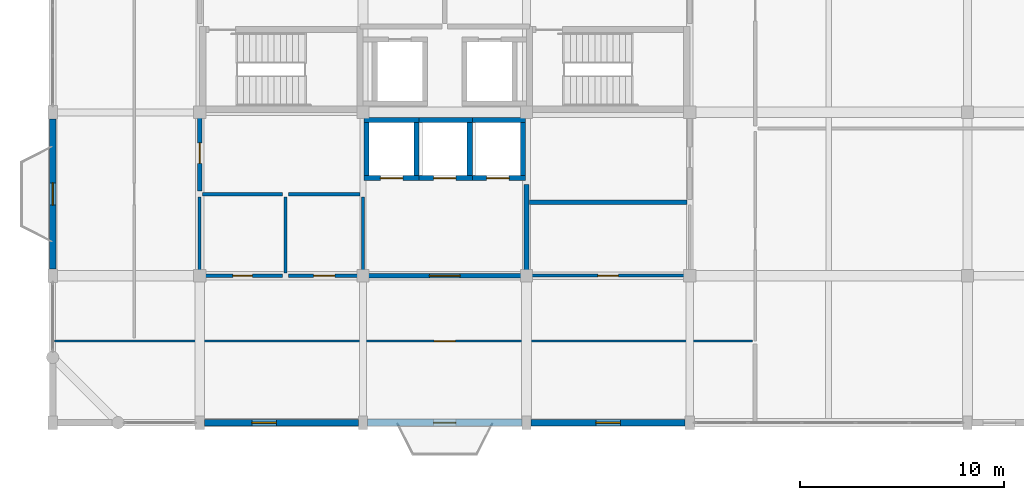
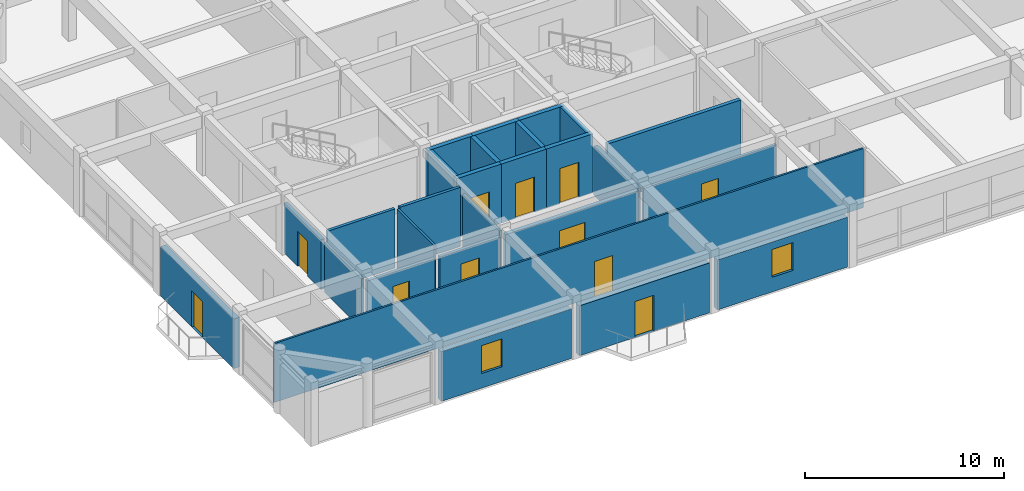
# One storey, part 10 of 13: 27 walls, 11 doors, 2 windows, 13 openings.
"""IFC4 building model written with IfcOpenShell, lengths in metres."""

from ifc_helpers import new_model, si_unit, direction, frame, frame_2d, origin, place, context, subcontext, project, spatial, rectangle, extrude, material, layer, layer_set, type_object, element, fill, save


model = new_model("IFC4")

# Units and contexts
model_context = context("Model", 3, precision=1e-05, world=origin(), true_north=direction((0.0, 1.0)))
body_context = subcontext(model_context, "Body", "Model", "MODEL_VIEW")
ifc_project = project(units=[si_unit("LENGTHUNIT", "METRE"), si_unit("AREAUNIT", "SQUARE_METRE"), si_unit("VOLUMEUNIT", "CUBIC_METRE"), si_unit("PLANEANGLEUNIT", "RADIAN"), si_unit("MASSUNIT", "GRAM", prefix="KILO")], contexts=[model_context])

# Site, building, storey
site_placement = place(None, origin())
site = spatial("IfcSite", under=ifc_project, at=site_placement, CompositionType="ELEMENT")
building_placement = place(site_placement, origin())
building = spatial("IfcBuilding", under=site, at=building_placement, Name="Vellmiral Cinema and Media Centre", CompositionType="ELEMENT")
storey_placement = place(building_placement, frame((0.0, 0.0, 54.800048828125)))
storey = spatial("IfcBuildingStorey", under=building, at=storey_placement, Name="L13", CompositionType="ELEMENT", Elevation=54.800048828125)

# Wall, opening, door
ifc_material_1 = material(Name="Concrete C40/50", Category="concrete")
ifc_layer_1 = layer(ifc_material_1, 0.2099609375, Name="Concrete C40/50")
ifc_layer_set_1 = layer_set([ifc_layer_1], Name="Concrete C40/50")
wall_type_1 = type_object("IfcWallType", Name="WL-COMP-210", PredefinedType="SOLIDWALL", material=ifc_layer_set_1)
wall_1_placement = place(storey_placement, frame((124.0, 83.340087890625, 0.0), z_axis=(0.0, 0.0, 1.0), x_axis=(0.0, 1.0, 0.0)))
wall_1 = element("IfcWall", 1, at=wall_1_placement, inside=storey, type_object=wall_type_1, Name="Electrical and Telecom Riser Room Wall W", PredefinedType="SOLIDWALL", context=body_context, shape_type="SweptSolid", body=[
    extrude(rectangle(XDim=3.719970703125, YDim=0.2099609375, at=frame_2d((1.85986328125, 0.0))), origin(), (0.0, 0.0, 1.0), 3.054931640625),
])
opening_1_placement = place(wall_1_placement, frame((1.360107421875, 0.0, 0.0)))
opening_1 = element("IfcOpeningElement", 2, at=opening_1_placement, cuts=wall_1, Name="Opening D-FD30B", PredefinedType="OPENING", context=body_context, shape_type="SweptSolid", body=[
    extrude(rectangle(XDim=1.0, YDim=2.14990234375, at=frame_2d((0.5, 1.074951171875))), frame((0.0, 0.116943359375, 0.0), z_axis=(0.0, -1.0, 0.0), x_axis=(1.0, 0.0, 0.0)), (0.0, 0.0, 1.0), 0.23388671875),
])
ifc_material_2 = material(Name="Steel Riser Fire Door", Category="steel")
door_type_1 = type_object("IfcDoorType", Name="DR-FD30-1000x2150", OperationType="NOTDEFINED", PredefinedType="DOOR", material=ifc_material_2)
door_1_placement = place(opening_1_placement, frame((1.0, 0.0, 0.0), z_axis=(0.0, 0.0, 1.0), x_axis=(-1.0, 0.0, 0.0)))
door_1 = element("IfcDoor", 3, at=door_1_placement, inside=storey, type_object=door_type_1, Name="Electrical and Telecom Riser Room Door", OperationType="SINGLE_SWING_LEFT", OverallHeight=2.14990234375, OverallWidth=1.0, PredefinedType="DOOR", context=body_context, shape_type="SweptSolid", body=[
    extrude(rectangle(XDim=1.0, YDim=2.14990234375, at=frame_2d((0.5, 1.074951171875))), frame((0.0, 0.02490234375, 0.0), z_axis=(0.0, -1.0, 0.0), x_axis=(1.0, 0.0, 0.0)), (0.0, 0.0, 1.0), 0.050048828125),
])
fill(opening_1, door_1)

# Wall
wall_2_placement = place(storey_placement, frame((140.139892578125, 82.800048828125, 0.0), z_axis=(0.0, 0.0, 1.0), x_axis=(1.0, 0.0, 0.0)))
element("IfcWall", 4, at=wall_2_placement, inside=storey, type_object=wall_type_1, Name="Data Patch and Riser Room Wall S", PredefinedType="SOLIDWALL", context=body_context, shape_type="SweptSolid", body=[
    extrude(rectangle(XDim=7.72021484375, YDim=0.2099609375, at=frame_2d((3.860107421875, 0.0))), origin(), (0.0, 0.0, 1.0), 3.619873046875),
])

# Wall, opening, window
ifc_material_3 = material(Name="Polychrome Glazed Ceramic Cladding", Category="masonry")
ifc_layer_2 = layer(ifc_material_3, 0.320068359375, Name="Polychrome Glazed Ceramic Cladding")
ifc_layer_set_2 = layer_set([ifc_layer_2], Name="Polychrome Glazed Ceramic Cladding")
wall_type_2 = type_object("IfcWallType", Name="WL-EXT-BRICK-320", PredefinedType="SOLIDWALL", material=ifc_layer_set_2)
wall_3_placement = place(storey_placement, frame((124.22509765625, 72.0, 0.0), z_axis=(0.0, 0.0, 1.0), x_axis=(1.0, 0.0, 0.0)))
wall_3 = element("IfcWall", 5, at=wall_3_placement, inside=storey, type_object=wall_type_2, Name="Exterior Facade Wall L13-003", PredefinedType="SOLIDWALL", context=body_context, shape_type="SweptSolid", body=[
    extrude(rectangle(XDim=7.5498046875, YDim=0.320068359375, at=frame_2d((3.77490234375, 0.0))), origin(), (0.0, 0.0, 1.0), 3.044921875),
])
opening_2_placement = place(wall_3_placement, frame((2.324951171875, 0.0, 0.89990234375)))
opening_2 = element("IfcOpeningElement", 6, at=opening_2_placement, cuts=wall_3, Name="Opening WN-10", PredefinedType="OPENING", context=body_context, shape_type="SweptSolid", body=[
    extrude(rectangle(XDim=1.199951171875, YDim=1.699951171875, at=frame_2d((0.60009765625, 0.85009765625))), frame((0.0, 0.171875, 0.0), z_axis=(0.0, -1.0, 0.0), x_axis=(1.0, 0.0, 0.0)), (0.0, 0.0, 1.0), 0.343994140625),
])
ifc_material_4 = material(Name="Thermally Broken Aluminium Triple Glazing", Category="aluminium")
window_type = type_object("IfcWindowType", Name="WN-1200x1700", PartitioningType="SINGLE_PANEL", PredefinedType="WINDOW", material=ifc_material_4)
window_1_placement = place(opening_2_placement, origin())
window_1 = element("IfcWindow", 7, at=window_1_placement, inside=storey, type_object=window_type, Name="Window L13-003", OverallHeight=1.699951171875, OverallWidth=1.199951171875, PartitioningType="SINGLE_PANEL", PredefinedType="WINDOW", context=body_context, shape_type="SweptSolid", body=[
    extrude(rectangle(XDim=1.199951171875, YDim=1.699951171875, at=frame_2d((0.60009765625, 0.85009765625))), frame((0.0, 0.030029296875, 0.0), z_axis=(0.0, -1.0, 0.0), x_axis=(1.0, 0.0, 0.0)), (0.0, 0.0, 1.0), 0.06005859375),
])
fill(opening_2, window_1)

wall_4_placement = place(storey_placement, frame((140.22509765625, 72.0, 0.0), z_axis=(0.0, 0.0, 1.0), x_axis=(1.0, 0.0, 0.0)))
wall_4 = element("IfcWall", 8, at=wall_4_placement, inside=storey, type_object=wall_type_2, Name="Exterior Facade Wall L13-005", PredefinedType="SOLIDWALL", context=body_context, shape_type="SweptSolid", body=[
    extrude(rectangle(XDim=7.5498046875, YDim=0.320068359375, at=frame_2d((3.77490234375, 0.0))), origin(), (0.0, 0.0, 1.0), 3.06005859375),
])
opening_3_placement = place(wall_4_placement, frame((3.175048828125, 0.0, 0.89990234375)))
opening_3 = element("IfcOpeningElement", 9, at=opening_3_placement, cuts=wall_4, Name="Opening WN-10", PredefinedType="OPENING", context=body_context, shape_type="SweptSolid", body=[
    extrude(rectangle(XDim=1.199951171875, YDim=1.699951171875, at=frame_2d((0.60009765625, 0.85009765625))), frame((0.0, 0.171875, 0.0), z_axis=(0.0, -1.0, 0.0), x_axis=(1.0, 0.0, 0.0)), (0.0, 0.0, 1.0), 0.343994140625),
])
window_2_placement = place(opening_3_placement, origin())
window_2 = element("IfcWindow", 10, at=window_2_placement, inside=storey, type_object=window_type, Name="Window L13-005", OverallHeight=1.699951171875, OverallWidth=1.199951171875, PartitioningType="SINGLE_PANEL", PredefinedType="WINDOW", context=body_context, shape_type="SweptSolid", body=[
    extrude(rectangle(XDim=1.199951171875, YDim=1.699951171875, at=frame_2d((0.60009765625, 0.85009765625))), frame((0.0, 0.030029296875, 0.0), z_axis=(0.0, -1.0, 0.0), x_axis=(1.0, 0.0, 0.0)), (0.0, 0.0, 1.0), 0.06005859375),
])
fill(opening_3, window_2)

# Wall, opening, door
wall_5_placement = place(storey_placement, frame((116.800048828125, 86.875, 0.0), z_axis=(0.0, 0.0, 1.0), x_axis=(0.0, -1.0, 0.0)))
wall_5 = element("IfcWall", 11, at=wall_5_placement, inside=storey, type_object=wall_type_2, Name="Exterior Facade Wall L13-027", PredefinedType="SOLIDWALL", context=body_context, shape_type="SweptSolid", body=[
    extrude(rectangle(XDim=7.35009765625, YDim=0.320068359375, at=frame_2d((3.675048828125, 0.0))), origin(), (0.0, 0.0, 1.0), 3.044921875),
])
opening_4_placement = place(wall_5_placement, frame((3.125, 0.0, 0.0)))
opening_4 = element("IfcOpeningElement", 12, at=opening_4_placement, cuts=wall_5, Name="Opening DE-06", PredefinedType="OPENING", context=body_context, shape_type="SweptSolid", body=[
    extrude(rectangle(XDim=1.10009765625, YDim=2.199951171875, at=frame_2d((0.550048828125, 1.10009765625))), frame((0.0, 0.171875, 0.0), z_axis=(0.0, -1.0, 0.0), x_axis=(1.0, 0.0, 0.0)), (0.0, 0.0, 1.0), 0.343994140625),
])
ifc_material_5 = material(Name="Thermally Broken Glazed Aluminium and Bronze Door", Category="aluminium")
door_type_2 = type_object("IfcDoorType", Name="DR-MIRA-1100x2200", OperationType="NOTDEFINED", PredefinedType="DOOR", material=ifc_material_5)
door_2_placement = place(opening_4_placement, frame((1.10009765625, 0.0, 0.0), z_axis=(0.0, 0.0, 1.0), x_axis=(-1.0, 0.0, 0.0)))
door_2 = element("IfcDoor", 13, at=door_2_placement, inside=storey, type_object=door_type_2, Name="Mirador Balcony Door L13-W", OperationType="SINGLE_SWING_LEFT", OverallHeight=2.199951171875, OverallWidth=1.10009765625, PredefinedType="DOOR", context=body_context, shape_type="SweptSolid", body=[
    extrude(rectangle(XDim=1.10009765625, YDim=2.199951171875, at=frame_2d((0.550048828125, 1.10009765625))), frame((0.0, 0.02490234375, 0.0), z_axis=(0.0, -1.0, 0.0), x_axis=(1.0, 0.0, 0.0)), (0.0, 0.0, 1.0), 0.050048828125),
])
fill(opening_4, door_2)

ifc_material_6 = material(Name="Vosges Red Sandstone Masonry", Category="masonry")
ifc_layer_3 = layer(ifc_material_6, 0.340087890625, Name="Vosges Red Sandstone Masonry")
ifc_layer_set_3 = layer_set([ifc_layer_3], Name="Vosges Red Sandstone Masonry")
wall_type_3 = type_object("IfcWallType", Name="WL-EXT-SAND-340", PredefinedType="SOLIDWALL", material=ifc_layer_set_3)
wall_6_placement = place(storey_placement, frame((132.22509765625, 72.0, 0.0), z_axis=(0.0, 0.0, 1.0), x_axis=(1.0, 0.0, 0.0)))
wall_6 = element("IfcWall", 14, at=wall_6_placement, inside=storey, type_object=wall_type_3, Name="Exterior Facade Wall L13-004", PredefinedType="SOLIDWALL", context=body_context, shape_type="SweptSolid", body=[
    extrude(rectangle(XDim=7.5498046875, YDim=0.340087890625, at=frame_2d((3.77490234375, 0.0))), origin(), (0.0, 0.0, 1.0), 3.06005859375),
])
opening_5_placement = place(wall_6_placement, frame((3.22509765625, 0.0, 0.0)))
opening_5 = element("IfcOpeningElement", 15, at=opening_5_placement, cuts=wall_6, Name="Opening DE-06", PredefinedType="OPENING", context=body_context, shape_type="SweptSolid", body=[
    extrude(rectangle(XDim=1.10009765625, YDim=2.199951171875, at=frame_2d((0.550048828125, 1.10009765625))), frame((0.0, 0.18212890625, 0.0), z_axis=(0.0, -1.0, 0.0), x_axis=(1.0, 0.0, 0.0)), (0.0, 0.0, 1.0), 0.364013671875),
])
door_3_placement = place(opening_5_placement, frame((1.10009765625, 0.0, 0.0), z_axis=(0.0, 0.0, 1.0), x_axis=(-1.0, 0.0, 0.0)))
door_3 = element("IfcDoor", 16, at=door_3_placement, inside=storey, type_object=door_type_2, Name="Mirador Balcony Door L13-S", OperationType="SINGLE_SWING_RIGHT", OverallHeight=2.199951171875, OverallWidth=1.10009765625, PredefinedType="DOOR", context=body_context, shape_type="SweptSolid", body=[
    extrude(rectangle(XDim=1.10009765625, YDim=2.199951171875, at=frame_2d((0.550048828125, 1.10009765625))), frame((0.0, 0.02490234375, 0.0), z_axis=(0.0, -1.0, 0.0), x_axis=(1.0, 0.0, 0.0)), (0.0, 0.0, 1.0), 0.050048828125),
])
fill(opening_5, door_3)

ifc_material_7 = material(Name="Concrete C40/50", Category="concrete")
ifc_layer_4 = layer(ifc_material_7, 0.22998046875, Name="Concrete C40/50")
ifc_layer_set_4 = layer_set([ifc_layer_4], Name="Concrete C40/50")
wall_type_4 = type_object("IfcWallType", Name="WL-FFL-230", PredefinedType="SOLIDWALL", material=ifc_layer_set_4)
wall_7_placement = place(storey_placement, frame((132.139892578125, 79.199951171875, 0.0), z_axis=(0.0, 0.0, 1.0), x_axis=(1.0, 0.0, 0.0)))
wall_7 = element("IfcWall", 17, at=wall_7_placement, inside=storey, type_object=wall_type_4, Name="Tower Passenger Lift Lobby Wall S", PredefinedType="SOLIDWALL", context=body_context, shape_type="SweptSolid", body=[
    extrude(rectangle(XDim=7.72021484375, YDim=0.22998046875, at=frame_2d((3.860107421875, 0.0))), origin(), (0.0, 0.0, 1.0), 3.054931640625),
])
opening_6_placement = place(wall_7_placement, frame((3.110107421875, 0.0, 0.0)))
opening_6 = element("IfcOpeningElement", 18, at=opening_6_placement, cuts=wall_7, Name="Opening D-FD30", PredefinedType="OPENING", context=body_context, shape_type="SweptSolid", body=[
    extrude(rectangle(XDim=1.5, YDim=2.199951171875, at=frame_2d((0.75, 1.10009765625))), frame((0.0, 0.126953125, 0.0), z_axis=(0.0, -1.0, 0.0), x_axis=(1.0, 0.0, 0.0)), (0.0, 0.0, 1.0), 0.25390625),
])
ifc_material_8 = material(Name="Timber-Core Fire Door", Category="wood")
door_type_3 = type_object("IfcDoorType", Name="DR-FD30-1500x2200", OperationType="DOUBLE_DOOR_SINGLE_SWING", PredefinedType="DOOR", material=ifc_material_8)
door_4_placement = place(opening_6_placement, frame((1.5, 0.0, 0.0), z_axis=(0.0, 0.0, 1.0), x_axis=(-1.0, 0.0, 0.0)))
door_4 = element("IfcDoor", 19, at=door_4_placement, inside=storey, type_object=door_type_3, Name="Tower Passenger Lift Lobby Door", OperationType="DOUBLE_DOOR_SINGLE_SWING", OverallHeight=2.199951171875, OverallWidth=1.5, PredefinedType="DOOR", context=body_context, shape_type="SweptSolid", body=[
    extrude(rectangle(XDim=1.5, YDim=2.199951171875, at=frame_2d((0.75, 1.10009765625))), frame((0.0, 0.02490234375, 0.0), z_axis=(0.0, -1.0, 0.0), x_axis=(1.0, 0.0, 0.0)), (0.0, 0.0, 1.0), 0.050048828125),
])
fill(opening_6, door_4)

# Wall
wall_8_placement = place(storey_placement, frame((140.0, 79.340087890625, 0.0), z_axis=(0.0, 0.0, 1.0), x_axis=(0.0, 1.0, 0.0)))
element("IfcWall", 20, at=wall_8_placement, inside=storey, type_object=wall_type_4, Name="Tower Passenger Lift Lobby Wall E", PredefinedType="SOLIDWALL", context=body_context, shape_type="SweptSolid", body=[
    extrude(rectangle(XDim=4.31982421875, YDim=0.22998046875, at=frame_2d((2.159912109375, 0.0))), origin(), (0.0, 0.0, 1.0), 3.0048828125),
])

# Wall, opening, door
ifc_material_9 = material(Name="Gypsum Plasterboard")
ifc_layer_5 = layer(ifc_material_9, 0.02490234375, Name="Gypsum Plasterboard", Category="gypsum")
ifc_material_10 = material(Name="Mineral Wool Acoustic Insulation", Category="insulation")
ifc_layer_6 = layer(ifc_material_10, 0.06005859375, Name="Mineral Wool Acoustic Insulation", Category="insulation")
ifc_layer_7 = layer(ifc_material_9, 0.02490234375, Name="Gypsum Plasterboard", Category="gypsum")
ifc_layer_set_5 = layer_set([ifc_layer_5, ifc_layer_6, ifc_layer_7], Name="Gypsum Plasterboard")
wall_type_5 = type_object("IfcWallType", Name="WL-PART-110", PredefinedType="PARTITIONING", material=ifc_layer_set_5)
wall_9_placement = place(storey_placement, frame((116.89501953125, 76.0, 0.0), z_axis=(0.0, 0.0, 1.0), x_axis=(1.0, 0.0, 0.0)))
wall_9 = element("IfcWall", 21, at=wall_9_placement, inside=storey, type_object=wall_type_5, Name="South Rhine Gallery Lounge Wall N", PredefinedType="PARTITIONING", context=body_context, shape_type="SweptSolid", body=[
    extrude(rectangle(XDim=34.1650390625, YDim=0.110107421875, at=frame_2d((17.08251953125, 0.0))), origin(), (0.0, 0.0, 1.0), 3.619873046875),
])
opening_7_placement = place(wall_9_placement, frame((18.580078125, 0.0, 0.0)))
opening_7 = element("IfcOpeningElement", 22, at=opening_7_placement, cuts=wall_9, Name="Opening D-I07", PredefinedType="OPENING", context=body_context, shape_type="SweptSolid", body=[
    extrude(rectangle(XDim=1.050048828125, YDim=2.14990234375, at=frame_2d((0.52490234375, 1.074951171875))), frame((0.0, 0.06689453125, 0.0), z_axis=(0.0, -1.0, 0.0), x_axis=(1.0, 0.0, 0.0)), (0.0, 0.0, 1.0), 0.134033203125),
])
ifc_material_11 = material(Name="Laminated Timber Door", Category="wood")
door_type_4 = type_object("IfcDoorType", Name="DR-INT-1050x2150", OperationType="NOTDEFINED", PredefinedType="DOOR", material=ifc_material_11)
door_5_placement = place(opening_7_placement, origin())
door_5 = element("IfcDoor", 23, at=door_5_placement, inside=storey, type_object=door_type_4, Name="South Rhine Gallery Lounge Door", OperationType="SINGLE_SWING_RIGHT", OverallHeight=2.14990234375, OverallWidth=1.050048828125, PredefinedType="DOOR", context=body_context, shape_type="SweptSolid", body=[
    extrude(rectangle(XDim=1.050048828125, YDim=2.14990234375, at=frame_2d((0.52490234375, 1.074951171875))), frame((0.0, 0.02490234375, 0.0), z_axis=(0.0, -1.0, 0.0), x_axis=(1.0, 0.0, 0.0)), (0.0, 0.0, 1.0), 0.050048828125),
])
fill(opening_7, door_5)

# Walls
ifc_material_12 = material(Name="Gypsum Plasterboard")
ifc_layer_8 = layer(ifc_material_12, 0.02490234375, Name="Gypsum Plasterboard", Category="gypsum")
ifc_material_13 = material(Name="Mineral Wool Acoustic Insulation", Category="insulation")
ifc_layer_9 = layer(ifc_material_13, 0.080078125, Name="Mineral Wool Acoustic Insulation", Category="insulation")
ifc_layer_10 = layer(ifc_material_12, 0.02490234375, Name="Gypsum Plasterboard", Category="gypsum")
ifc_layer_set_6 = layer_set([ifc_layer_8, ifc_layer_9, ifc_layer_10], Name="Gypsum Plasterboard")
wall_type_6 = type_object("IfcWallType", Name="WL-PART-130", PredefinedType="PARTITIONING", material=ifc_layer_set_6)
wall_10_placement = place(storey_placement, frame((128.199951171875, 79.340087890625, 0.0), z_axis=(0.0, 0.0, 1.0), x_axis=(0.0, 1.0, 0.0)))
element("IfcWall", 24, at=wall_10_placement, inside=storey, type_object=wall_type_6, Name="Staff WC Wall E", PredefinedType="PARTITIONING", context=body_context, shape_type="SweptSolid", body=[
    extrude(rectangle(XDim=3.719970703125, YDim=0.1298828125, at=frame_2d((1.85986328125, 0.0))), origin(), (0.0, 0.0, 1.0), 3.619873046875),
])
ifc_material_14 = material(Name="Gypsum Plasterboard")
ifc_layer_11 = layer(ifc_material_14, 0.02490234375, Name="Gypsum Plasterboard", Category="gypsum")
ifc_material_15 = material(Name="Mineral Wool Acoustic Insulation", Category="insulation")
ifc_layer_12 = layer(ifc_material_15, 0.10009765625, Name="Mineral Wool Acoustic Insulation", Category="insulation")
ifc_layer_13 = layer(ifc_material_14, 0.02490234375, Name="Gypsum Plasterboard", Category="gypsum")
ifc_layer_set_7 = layer_set([ifc_layer_11, ifc_layer_12, ifc_layer_13], Name="Gypsum Plasterboard")
wall_type_7 = type_object("IfcWallType", Name="WL-PART-150", PredefinedType="PARTITIONING", material=ifc_layer_set_7)
wall_11_placement = place(storey_placement, frame((124.0, 79.340087890625, 0.0), z_axis=(0.0, 0.0, 1.0), x_axis=(0.0, 1.0, 0.0)))
element("IfcWall", 25, at=wall_11_placement, inside=storey, type_object=wall_type_7, Name="Staff WC Wall W", PredefinedType="PARTITIONING", context=body_context, shape_type="SweptSolid", body=[
    extrude(rectangle(XDim=3.719970703125, YDim=0.14990234375, at=frame_2d((1.85986328125, 0.0))), origin(), (0.0, 0.0, 1.0), 3.054931640625),
])
wall_12_placement = place(storey_placement, frame((132.0, 79.340087890625, 0.0), z_axis=(0.0, 0.0, 1.0), x_axis=(0.0, 1.0, 0.0)))
element("IfcWall", 26, at=wall_12_placement, inside=storey, type_object=wall_type_7, Name="Accessible WC Wall E", PredefinedType="PARTITIONING", context=body_context, shape_type="SweptSolid", body=[
    extrude(rectangle(XDim=3.719970703125, YDim=0.14990234375, at=frame_2d((1.85986328125, 0.0))), origin(), (0.0, 0.0, 1.0), 3.204833984375),
])

# Wall, opening, door
wall_13_placement = place(storey_placement, frame((140.139892578125, 79.199951171875, 0.0), z_axis=(0.0, 0.0, 1.0), x_axis=(1.0, 0.0, 0.0)))
wall_13 = element("IfcWall", 27, at=wall_13_placement, inside=storey, type_object=wall_type_7, Name="Print and Archive Copy Room Wall S", PredefinedType="PARTITIONING", context=body_context, shape_type="SweptSolid", body=[
    extrude(rectangle(XDim=7.72021484375, YDim=0.14990234375, at=frame_2d((3.860107421875, 0.0))), origin(), (0.0, 0.0, 1.0), 3.054931640625),
])
opening_8_placement = place(wall_13_placement, frame((3.360107421875, 0.0, 0.0)))
opening_8 = element("IfcOpeningElement", 28, at=opening_8_placement, cuts=wall_13, Name="Opening D-I08", PredefinedType="OPENING", context=body_context, shape_type="SweptSolid", body=[
    extrude(rectangle(XDim=1.0, YDim=2.14990234375, at=frame_2d((0.5, 1.074951171875))), frame((0.0, 0.0869140625, 0.0), z_axis=(0.0, -1.0, 0.0), x_axis=(1.0, 0.0, 0.0)), (0.0, 0.0, 1.0), 0.173828125),
])
ifc_material_16 = material(Name="Laminated Timber Door", Category="wood")
door_type_5 = type_object("IfcDoorType", Name="DR-INT-1000x2150", OperationType="NOTDEFINED", PredefinedType="DOOR", material=ifc_material_16)
door_6_placement = place(opening_8_placement, origin())
door_6 = element("IfcDoor", 29, at=door_6_placement, inside=storey, type_object=door_type_5, Name="Print and Archive Copy Room Door", OperationType="SINGLE_SWING_RIGHT", OverallHeight=2.14990234375, OverallWidth=1.0, PredefinedType="DOOR", context=body_context, shape_type="SweptSolid", body=[
    extrude(rectangle(XDim=1.0, YDim=2.14990234375, at=frame_2d((0.5, 1.074951171875))), frame((0.0, 0.02490234375, 0.0), z_axis=(0.0, -1.0, 0.0), x_axis=(1.0, 0.0, 0.0)), (0.0, 0.0, 1.0), 0.050048828125),
])
fill(opening_8, door_6)

# Walls
ifc_material_17 = material(Name="Gypsum Plasterboard")
ifc_layer_14 = layer(ifc_material_17, 0.02490234375, Name="Gypsum Plasterboard", Category="gypsum")
ifc_material_18 = material(Name="Mineral Wool Acoustic Insulation", Category="insulation")
ifc_layer_15 = layer(ifc_material_18, 0.1201171875, Name="Mineral Wool Acoustic Insulation", Category="insulation")
ifc_layer_16 = layer(ifc_material_17, 0.02490234375, Name="Gypsum Plasterboard", Category="gypsum")
ifc_layer_set_8 = layer_set([ifc_layer_14, ifc_layer_15, ifc_layer_16], Name="Gypsum Plasterboard")
wall_type_8 = type_object("IfcWallType", Name="WL-PART-170", PredefinedType="PARTITIONING", material=ifc_layer_set_8)
wall_14_placement = place(storey_placement, frame((124.139892578125, 83.199951171875, 0.0), z_axis=(0.0, 0.0, 1.0), x_axis=(1.0, 0.0, 0.0)))
element("IfcWall", 30, at=wall_14_placement, inside=storey, type_object=wall_type_8, Name="Staff WC Wall N", PredefinedType="PARTITIONING", context=body_context, shape_type="SweptSolid", body=[
    extrude(rectangle(XDim=3.920166015625, YDim=0.169921875, at=frame_2d((1.9599609375, 0.0))), origin(), (0.0, 0.0, 1.0), 3.619873046875),
])
wall_15_placement = place(storey_placement, frame((128.340087890625, 83.199951171875, 0.0), z_axis=(0.0, 0.0, 1.0), x_axis=(1.0, 0.0, 0.0)))
element("IfcWall", 31, at=wall_15_placement, inside=storey, type_object=wall_type_8, Name="Accessible WC Wall N", PredefinedType="PARTITIONING", context=body_context, shape_type="SweptSolid", body=[
    extrude(rectangle(XDim=3.52001953125, YDim=0.169921875, at=frame_2d((1.760009765625, 0.0))), origin(), (0.0, 0.0, 1.0), 3.619873046875),
])

# Wall, opening, door
ifc_material_19 = material(Name="Gypsum Plasterboard")
ifc_layer_17 = layer(ifc_material_19, 0.02490234375, Name="Gypsum Plasterboard", Category="gypsum")
ifc_material_20 = material(Name="Mineral Wool Acoustic Insulation", Category="insulation")
ifc_layer_18 = layer(ifc_material_20, 0.139892578125, Name="Mineral Wool Acoustic Insulation", Category="insulation")
ifc_layer_19 = layer(ifc_material_19, 0.02490234375, Name="Gypsum Plasterboard", Category="gypsum")
ifc_layer_set_9 = layer_set([ifc_layer_17, ifc_layer_18, ifc_layer_19], Name="Gypsum Plasterboard")
wall_type_9 = type_object("IfcWallType", Name="WL-PART-190", PredefinedType="PARTITIONING", material=ifc_layer_set_9)
wall_16_placement = place(storey_placement, frame((124.139892578125, 79.199951171875, 0.0), z_axis=(0.0, 0.0, 1.0), x_axis=(1.0, 0.0, 0.0)))
wall_16 = element("IfcWall", 32, at=wall_16_placement, inside=storey, type_object=wall_type_9, Name="Staff WC Wall S", PredefinedType="PARTITIONING", context=body_context, shape_type="SweptSolid", body=[
    extrude(rectangle(XDim=3.920166015625, YDim=0.18994140625, at=frame_2d((1.9599609375, 0.0))), origin(), (0.0, 0.0, 1.0), 3.0048828125),
])
opening_9_placement = place(wall_16_placement, frame((1.485107421875, 0.0, 0.0)))
opening_9 = element("IfcOpeningElement", 33, at=opening_9_placement, cuts=wall_16, Name="Opening D-I09", PredefinedType="OPENING", context=body_context, shape_type="SweptSolid", body=[
    extrude(rectangle(XDim=0.949951171875, YDim=2.14990234375, at=frame_2d((0.47509765625, 1.074951171875))), frame((0.0, 0.10693359375, 0.0), z_axis=(0.0, -1.0, 0.0), x_axis=(1.0, 0.0, 0.0)), (0.0, 0.0, 1.0), 0.2138671875),
])
ifc_material_21 = material(Name="Moisture-Resistant Timber Door", Category="wood")
door_type_6 = type_object("IfcDoorType", Name="DR-INT-950x2150", OperationType="NOTDEFINED", PredefinedType="DOOR", material=ifc_material_21)
door_7_placement = place(opening_9_placement, origin())
door_7 = element("IfcDoor", 34, at=door_7_placement, inside=storey, type_object=door_type_6, Name="Staff WC Door", OperationType="SINGLE_SWING_LEFT", OverallHeight=2.14990234375, OverallWidth=0.949951171875, PredefinedType="DOOR", context=body_context, shape_type="SweptSolid", body=[
    extrude(rectangle(XDim=0.949951171875, YDim=2.14990234375, at=frame_2d((0.47509765625, 1.074951171875))), frame((0.0, 0.02490234375, 0.0), z_axis=(0.0, -1.0, 0.0), x_axis=(1.0, 0.0, 0.0)), (0.0, 0.0, 1.0), 0.050048828125),
])
fill(opening_9, door_7)

wall_17_placement = place(storey_placement, frame((128.340087890625, 79.199951171875, 0.0), z_axis=(0.0, 0.0, 1.0), x_axis=(1.0, 0.0, 0.0)))
wall_17 = element("IfcWall", 35, at=wall_17_placement, inside=storey, type_object=wall_type_9, Name="Accessible WC Wall S", PredefinedType="PARTITIONING", context=body_context, shape_type="SweptSolid", body=[
    extrude(rectangle(XDim=3.52001953125, YDim=0.18994140625, at=frame_2d((1.760009765625, 0.0))), origin(), (0.0, 0.0, 1.0), 3.0048828125),
])
opening_10_placement = place(wall_17_placement, frame((1.235107421875, 0.0, 0.0)))
opening_10 = element("IfcOpeningElement", 36, at=opening_10_placement, cuts=wall_17, Name="Opening D-I10", PredefinedType="OPENING", context=body_context, shape_type="SweptSolid", body=[
    extrude(rectangle(XDim=1.050048828125, YDim=2.14990234375, at=frame_2d((0.52490234375, 1.074951171875))), frame((0.0, 0.10693359375, 0.0), z_axis=(0.0, -1.0, 0.0), x_axis=(1.0, 0.0, 0.0)), (0.0, 0.0, 1.0), 0.2138671875),
])
ifc_material_22 = material(Name="Barrier-Free Timber Door", Category="wood")
door_type_7 = type_object("IfcDoorType", Name="DR-ACC-1050x2150", OperationType="NOTDEFINED", PredefinedType="DOOR", material=ifc_material_22)
door_8_placement = place(opening_10_placement, origin())
door_8 = element("IfcDoor", 37, at=door_8_placement, inside=storey, type_object=door_type_7, Name="Accessible WC Door", OperationType="SINGLE_SWING_RIGHT", OverallHeight=2.14990234375, OverallWidth=1.050048828125, PredefinedType="DOOR", context=body_context, shape_type="SweptSolid", body=[
    extrude(rectangle(XDim=1.050048828125, YDim=2.14990234375, at=frame_2d((0.52490234375, 1.074951171875))), frame((0.0, 0.02490234375, 0.0), z_axis=(0.0, -1.0, 0.0), x_axis=(1.0, 0.0, 0.0)), (0.0, 0.0, 1.0), 0.050048828125),
])
fill(opening_10, door_8)

ifc_material_23 = material(Name="Concrete C40/50", Category="concrete")
ifc_layer_20 = layer(ifc_material_23, 0.25, Name="Concrete C40/50")
ifc_layer_set_10 = layer_set([ifc_layer_20], Name="Concrete C40/50")
wall_type_10 = type_object("IfcWallType", Name="WL-SHAFT-250", PredefinedType="SHEAR", material=ifc_layer_set_10)
wall_18_placement = place(storey_placement, frame((132.050048828125, 83.97509765625, 0.0), z_axis=(0.0, 0.0, 1.0), x_axis=(1.0, 0.0, 0.0)))
wall_18 = element("IfcWall", 38, at=wall_18_placement, inside=storey, type_object=wall_type_10, Name="Lift Shaft Wall LF-P1 L13-S", PredefinedType="SHEAR", context=body_context, shape_type="SweptSolid", body=[
    extrude(rectangle(XDim=2.699951171875, YDim=0.25, at=frame_2d((1.35009765625, 0.0))), origin(), (0.0, 0.0, 1.0), 3.619873046875),
])
opening_11_placement = place(wall_18_placement, frame((0.800048828125, 0.0, 0.0)))
opening_11 = element("IfcOpeningElement", 39, at=opening_11_placement, cuts=wall_18, Name="Opening LD-01", PredefinedType="OPENING", context=body_context, shape_type="SweptSolid", body=[
    extrude(rectangle(XDim=1.10009765625, YDim=2.14990234375, at=frame_2d((0.550048828125, 1.074951171875))), frame((0.0, 0.136962890625, 0.0), z_axis=(0.0, -1.0, 0.0), x_axis=(1.0, 0.0, 0.0)), (0.0, 0.0, 1.0), 0.27392578125),
])
ifc_material_24 = material(Name="Stainless Steel Lift Landing Door", Category="steel")
door_type_8 = type_object("IfcDoorType", Name="DR-LIFT-1100x2150", OperationType="SLIDING_TO_LEFT", PredefinedType="DOOR", material=ifc_material_24)
door_9_placement = place(opening_11_placement, origin())
door_9 = element("IfcDoor", 40, at=door_9_placement, inside=storey, type_object=door_type_8, Name="Lift Landing Door LF-P1 L13", OperationType="SLIDING_TO_LEFT", OverallHeight=2.14990234375, OverallWidth=1.10009765625, PredefinedType="DOOR", context=body_context, shape_type="SweptSolid", body=[
    extrude(rectangle(XDim=1.10009765625, YDim=2.14990234375, at=frame_2d((0.550048828125, 1.074951171875))), frame((0.0, 0.02490234375, 0.0), z_axis=(0.0, -1.0, 0.0), x_axis=(1.0, 0.0, 0.0)), (0.0, 0.0, 1.0), 0.050048828125),
])
fill(opening_11, door_9)

# Walls
wall_19_placement = place(storey_placement, frame((132.050048828125, 86.824951171875, 0.0), z_axis=(0.0, 0.0, 1.0), x_axis=(1.0, 0.0, 0.0)))
element("IfcWall", 41, at=wall_19_placement, inside=storey, type_object=wall_type_10, Name="Lift Shaft Wall LF-P1 L13-N", PredefinedType="SHEAR", context=body_context, shape_type="SweptSolid", body=[
    extrude(rectangle(XDim=2.699951171875, YDim=0.25, at=frame_2d((1.35009765625, 0.0))), origin(), (0.0, 0.0, 1.0), 3.619873046875),
])
for number, where, z_axis, x_axis, name in (
    (42, (132.175048828125, 84.10009765625, 0.0), (0.0, 0.0, 1.0), (0.0, 1.0, 0.0), "Lift Shaft Wall LF-P1 L13-W"),
    (43, (134.625, 84.10009765625, 0.0), (0.0, 0.0, 1.0), (0.0, 1.0, 0.0), "Lift Shaft Wall LF-P1 L13-E"),
):
    element("IfcWall", number, at=place(storey_placement, frame(where, z_axis=z_axis, x_axis=x_axis)), inside=storey, type_object=wall_type_10, Name=name, PredefinedType="SHEAR", context=body_context, shape_type="SweptSolid", body=[
        extrude(rectangle(XDim=2.599853515625, YDim=0.25, at=frame_2d((1.2998046875, 0.0))), origin(), (0.0, 0.0, 1.0), 3.619873046875),
    ])

# Wall, opening, door
wall_20_placement = place(storey_placement, frame((134.64990234375, 83.97509765625, 0.0), z_axis=(0.0, 0.0, 1.0), x_axis=(1.0, 0.0, 0.0)))
wall_20 = element("IfcWall", 44, at=wall_20_placement, inside=storey, type_object=wall_type_10, Name="Lift Shaft Wall LF-P2 L13-S", PredefinedType="SHEAR", context=body_context, shape_type="SweptSolid", body=[
    extrude(rectangle(XDim=2.7001953125, YDim=0.25, at=frame_2d((1.35009765625, 0.0))), origin(), (0.0, 0.0, 1.0), 3.619873046875),
])
opening_12_placement = place(wall_20_placement, frame((0.800048828125, 0.0, 0.0)))
opening_12 = element("IfcOpeningElement", 45, at=opening_12_placement, cuts=wall_20, Name="Opening LD-01", PredefinedType="OPENING", context=body_context, shape_type="SweptSolid", body=[
    extrude(rectangle(XDim=1.10009765625, YDim=2.14990234375, at=frame_2d((0.550048828125, 1.074951171875))), frame((0.0, 0.136962890625, 0.0), z_axis=(0.0, -1.0, 0.0), x_axis=(1.0, 0.0, 0.0)), (0.0, 0.0, 1.0), 0.27392578125),
])
door_10_placement = place(opening_12_placement, origin())
door_10 = element("IfcDoor", 46, at=door_10_placement, inside=storey, type_object=door_type_8, Name="Lift Landing Door LF-P2 L13", OperationType="SLIDING_TO_LEFT", OverallHeight=2.14990234375, OverallWidth=1.10009765625, PredefinedType="DOOR", context=body_context, shape_type="SweptSolid", body=[
    extrude(rectangle(XDim=1.10009765625, YDim=2.14990234375, at=frame_2d((0.550048828125, 1.074951171875))), frame((0.0, 0.02490234375, 0.0), z_axis=(0.0, -1.0, 0.0), x_axis=(1.0, 0.0, 0.0)), (0.0, 0.0, 1.0), 0.050048828125),
])
fill(opening_12, door_10)

# Walls
wall_21_placement = place(storey_placement, frame((134.64990234375, 86.824951171875, 0.0), z_axis=(0.0, 0.0, 1.0), x_axis=(1.0, 0.0, 0.0)))
element("IfcWall", 47, at=wall_21_placement, inside=storey, type_object=wall_type_10, Name="Lift Shaft Wall LF-P2 L13-N", PredefinedType="SHEAR", context=body_context, shape_type="SweptSolid", body=[
    extrude(rectangle(XDim=2.7001953125, YDim=0.25, at=frame_2d((1.35009765625, 0.0))), origin(), (0.0, 0.0, 1.0), 3.619873046875),
])
wall_22_placement = place(storey_placement, frame((137.22509765625, 84.10009765625, 0.0), z_axis=(0.0, 0.0, 1.0), x_axis=(0.0, 1.0, 0.0)))
element("IfcWall", 48, at=wall_22_placement, inside=storey, type_object=wall_type_10, Name="Lift Shaft Wall LF-P2 L13-E", PredefinedType="SHEAR", context=body_context, shape_type="SweptSolid", body=[
    extrude(rectangle(XDim=2.599853515625, YDim=0.25, at=frame_2d((1.2998046875, 0.0))), origin(), (0.0, 0.0, 1.0), 3.619873046875),
])

# Wall, opening, door
wall_23_placement = place(storey_placement, frame((137.25, 83.97509765625, 0.0), z_axis=(0.0, 0.0, 1.0), x_axis=(1.0, 0.0, 0.0)))
wall_23 = element("IfcWall", 49, at=wall_23_placement, inside=storey, type_object=wall_type_10, Name="Lift Shaft Wall LF-P3 L13-S", PredefinedType="SHEAR", context=body_context, shape_type="SweptSolid", body=[
    extrude(rectangle(XDim=2.699951171875, YDim=0.25, at=frame_2d((1.35009765625, 0.0))), origin(), (0.0, 0.0, 1.0), 3.619873046875),
])
opening_13_placement = place(wall_23_placement, frame((0.800048828125, 0.0, 0.0)))
opening_13 = element("IfcOpeningElement", 50, at=opening_13_placement, cuts=wall_23, Name="Opening LD-01", PredefinedType="OPENING", context=body_context, shape_type="SweptSolid", body=[
    extrude(rectangle(XDim=1.10009765625, YDim=2.14990234375, at=frame_2d((0.550048828125, 1.074951171875))), frame((0.0, 0.136962890625, 0.0), z_axis=(0.0, -1.0, 0.0), x_axis=(1.0, 0.0, 0.0)), (0.0, 0.0, 1.0), 0.27392578125),
])
door_11_placement = place(opening_13_placement, origin())
door_11 = element("IfcDoor", 51, at=door_11_placement, inside=storey, type_object=door_type_8, Name="Lift Landing Door LF-P3 L13", OperationType="SLIDING_TO_LEFT", OverallHeight=2.14990234375, OverallWidth=1.10009765625, PredefinedType="DOOR", context=body_context, shape_type="SweptSolid", body=[
    extrude(rectangle(XDim=1.10009765625, YDim=2.14990234375, at=frame_2d((0.550048828125, 1.074951171875))), frame((0.0, 0.02490234375, 0.0), z_axis=(0.0, -1.0, 0.0), x_axis=(1.0, 0.0, 0.0)), (0.0, 0.0, 1.0), 0.050048828125),
])
fill(opening_13, door_11)

# Walls
wall_24_placement = place(storey_placement, frame((137.25, 86.824951171875, 0.0), z_axis=(0.0, 0.0, 1.0), x_axis=(1.0, 0.0, 0.0)))
element("IfcWall", 52, at=wall_24_placement, inside=storey, type_object=wall_type_10, Name="Lift Shaft Wall LF-P3 L13-N", PredefinedType="SHEAR", context=body_context, shape_type="SweptSolid", body=[
    extrude(rectangle(XDim=2.699951171875, YDim=0.25, at=frame_2d((1.35009765625, 0.0))), origin(), (0.0, 0.0, 1.0), 3.619873046875),
])
wall_25_placement = place(storey_placement, frame((139.824951171875, 84.10009765625, 0.0), z_axis=(0.0, 0.0, 1.0), x_axis=(0.0, 1.0, 0.0)))
element("IfcWall", 53, at=wall_25_placement, inside=storey, type_object=wall_type_10, Name="Lift Shaft Wall LF-P3 L13-E", PredefinedType="SHEAR", context=body_context, shape_type="SweptSolid", body=[
    extrude(rectangle(XDim=2.599853515625, YDim=0.25, at=frame_2d((1.2998046875, 0.0))), origin(), (0.0, 0.0, 1.0), 3.619873046875),
])

save(model, "model.ifc")
